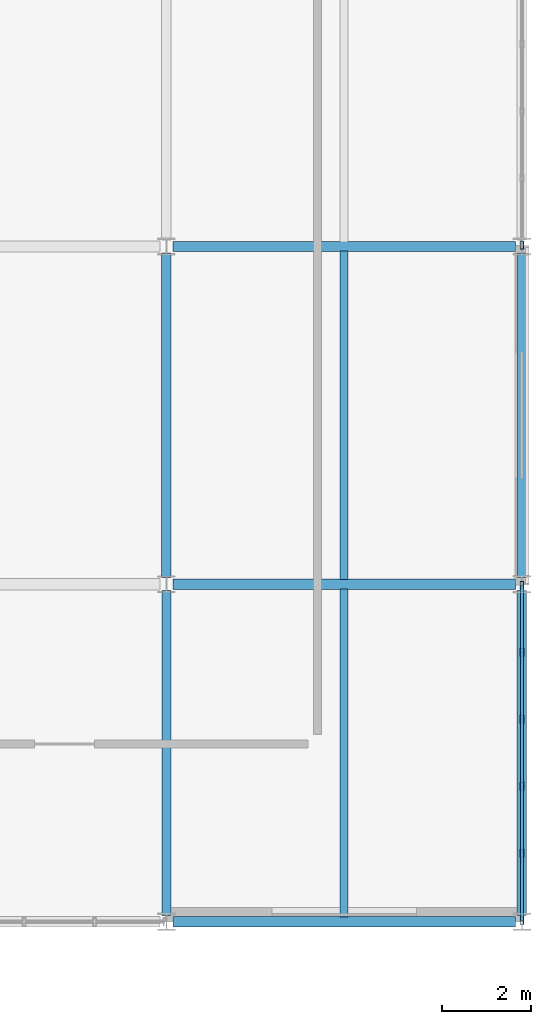
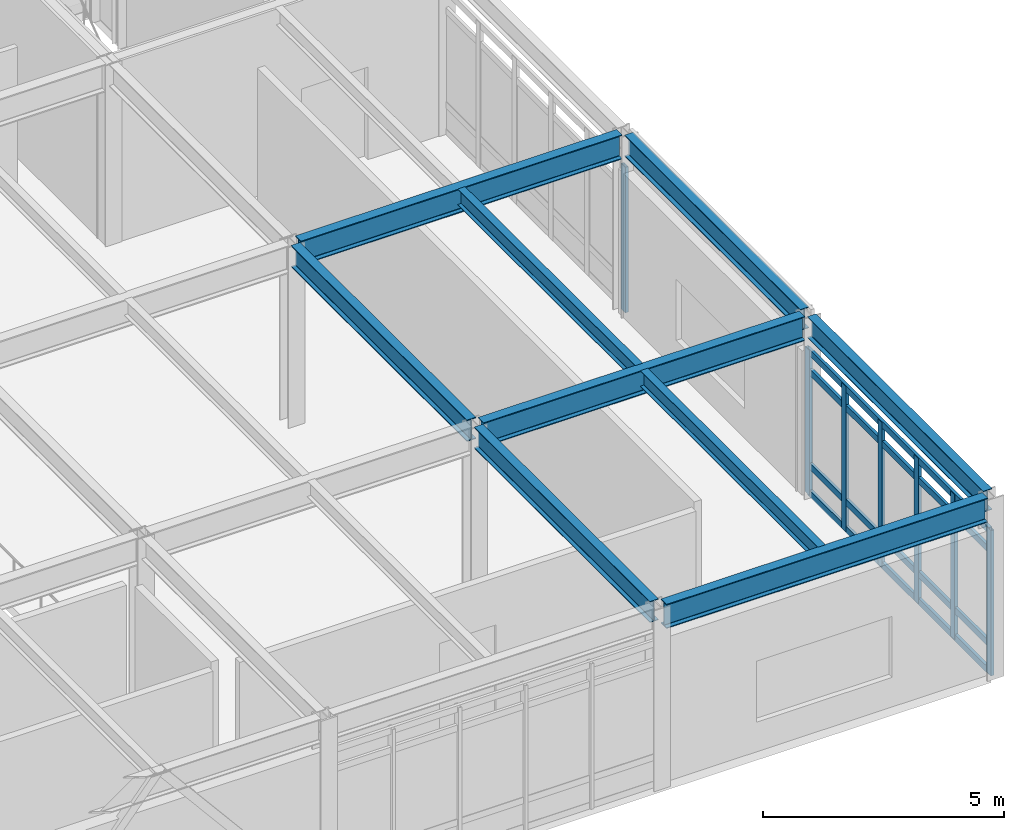
# One storey, part 67 of 104: 11 members, 9 beams, 2 elements without a shape of their own.
"""IFC4 building model written with IfcOpenShell, lengths in metres."""

from ifc_helpers import new_model, si_unit, direction, frame, origin, origin_2d, place, context, subcontext, project, spatial, hollow_rectangle, i_section, extrude, material, material_profile, profile_set, type_object, element, aggregate, save


model = new_model("IFC4")

# Units and contexts
model_context = context("Model", 3, precision=1e-05, world=origin(), true_north=direction((0.0, 1.0)))
body_context = subcontext(model_context, "Body", "Model", "MODEL_VIEW")
ifc_project = project(units=[si_unit("LENGTHUNIT", "METRE"), si_unit("AREAUNIT", "SQUARE_METRE"), si_unit("VOLUMEUNIT", "CUBIC_METRE"), si_unit("PLANEANGLEUNIT", "RADIAN"), si_unit("MASSUNIT", "GRAM", prefix="KILO")], contexts=[model_context])

# Site, building, storey
site_placement = place(None, origin())
site = spatial("IfcSite", under=ifc_project, at=site_placement, CompositionType="ELEMENT")
building_placement = place(site_placement, origin())
building = spatial("IfcBuilding", under=site, at=building_placement, Name="Zulena Civic Courthouse", CompositionType="ELEMENT")
storey_placement = place(building_placement, frame((0.0, 0.0, 10.800048828125)))
storey = spatial("IfcBuildingStorey", under=building, at=storey_placement, Name="L02", CompositionType="ELEMENT", Elevation=10.800048828125)

# Curtain wall, member
ifc_material_1 = material(Name="Double-silver low-E laminated solar-control glass", Category="glass")
curtain_wall_type = type_object("IfcCurtainWallType", Name="CW_7540x3690", PredefinedType="USERDEFINED", material=ifc_material_1)
curtain_wall_1_placement = place(storey_placement, origin())
curtain_wall_1 = element("IfcCurtainWall", 1, at=curtain_wall_1_placement, inside=storey, type_object=curtain_wall_type, Name="cw:V1:L02:2:1", ObjectType="UNITISED CURTAIN WALL", PredefinedType="USERDEFINED")
ifc_material_2 = material(Name="Bronze anodised thermally broken aluminium AA6063-T6", Category="aluminium")
ifc_material_profile_1 = material_profile(ifc_material_2, hollow_rectangle(XDim=0.074951171875, YDim=0.179931640625, WallThickness=0.0048828125, at=origin_2d()), Name="CWM180X75X5")
ifc_profile_set_1 = profile_set([ifc_material_profile_1], Name="Bronze anodised thermally broken aluminium AA6063-T6")
member_type_1 = type_object("IfcMemberType", Name="CWMullion_180x75", PredefinedType="MULLION", material=ifc_profile_set_1)
member_1_placement = place(storey_placement, frame((172.0, 15.22998046875, 0.0), z_axis=(0.0, 0.0, 1.0), x_axis=(1.0, 0.0, 0.0)))
member_1 = element("IfcMember", 2, at=member_1_placement, type_object=member_type_1, Name="cw:V1:L02:2:1:mull:5", PredefinedType="MULLION", context=body_context, shape_type="SweptSolid", body=[
    extrude(hollow_rectangle(XDim=0.074951171875, YDim=0.179931640625, WallThickness=0.0048828125, at=origin_2d()), origin(), (0.0, 0.0, 1.0), 3.68994140625),
])
aggregate(curtain_wall_1, [member_1])

# Curtain wall, members
curtain_wall_2_placement = place(storey_placement, origin())
curtain_wall_2 = element("IfcCurtainWall", 3, at=curtain_wall_2_placement, inside=storey, type_object=curtain_wall_type, Name="cw:V1:L02:2:3", ObjectType="UNITISED CURTAIN WALL", PredefinedType="USERDEFINED")
member_2_placement = place(storey_placement, frame((172.0, 7.570068359375, 0.0), z_axis=(0.0, 0.0, 1.0), x_axis=(1.0, 0.0, 0.0)))
member_2 = element("IfcMember", 4, at=member_2_placement, type_object=member_type_1, Name="cw:V1:L02:2:3:mull:0", PredefinedType="MULLION", context=body_context, shape_type="SweptSolid", body=[
    extrude(hollow_rectangle(XDim=0.074951171875, YDim=0.179931640625, WallThickness=0.0048828125, at=origin_2d()), origin(), (0.0, 0.0, 1.0), 3.68994140625),
])
member_3_placement = place(storey_placement, frame((172.0, 6.06201171875, 0.0), z_axis=(0.0, 0.0, 1.0), x_axis=(1.0, 0.0, 0.0)))
member_3 = element("IfcMember", 5, at=member_3_placement, type_object=member_type_1, Name="cw:V1:L02:2:3:mull:1", PredefinedType="MULLION", context=body_context, shape_type="SweptSolid", body=[
    extrude(hollow_rectangle(XDim=0.074951171875, YDim=0.179931640625, WallThickness=0.0048828125, at=origin_2d()), origin(), (0.0, 0.0, 1.0), 3.68994140625),
])
member_4_placement = place(storey_placement, frame((172.0, 4.553955078125, 0.0), z_axis=(0.0, 0.0, 1.0), x_axis=(1.0, 0.0, 0.0)))
member_4 = element("IfcMember", 6, at=member_4_placement, type_object=member_type_1, Name="cw:V1:L02:2:3:mull:2", PredefinedType="MULLION", context=body_context, shape_type="SweptSolid", body=[
    extrude(hollow_rectangle(XDim=0.074951171875, YDim=0.179931640625, WallThickness=0.0048828125, at=origin_2d()), origin(), (0.0, 0.0, 1.0), 3.68994140625),
])
member_5_placement = place(storey_placement, frame((172.0, 3.0458984375, 0.0), z_axis=(0.0, 0.0, 1.0), x_axis=(1.0, 0.0, 0.0)))
member_5 = element("IfcMember", 7, at=member_5_placement, type_object=member_type_1, Name="cw:V1:L02:2:3:mull:3", PredefinedType="MULLION", context=body_context, shape_type="SweptSolid", body=[
    extrude(hollow_rectangle(XDim=0.074951171875, YDim=0.179931640625, WallThickness=0.0048828125, at=origin_2d()), origin(), (0.0, 0.0, 1.0), 3.68994140625),
])
member_6_placement = place(storey_placement, frame((172.0, 1.5380859375, 0.0), z_axis=(0.0, 0.0, 1.0), x_axis=(1.0, 0.0, 0.0)))
member_6 = element("IfcMember", 8, at=member_6_placement, type_object=member_type_1, Name="cw:V1:L02:2:3:mull:4", PredefinedType="MULLION", context=body_context, shape_type="SweptSolid", body=[
    extrude(hollow_rectangle(XDim=0.074951171875, YDim=0.179931640625, WallThickness=0.0048828125, at=origin_2d()), origin(), (0.0, 0.0, 1.0), 3.68994140625),
])
member_7_placement = place(storey_placement, frame((172.0, 0.030029296875, 0.0), z_axis=(0.0, 0.0, 1.0), x_axis=(1.0, 0.0, 0.0)))
member_7 = element("IfcMember", 9, at=member_7_placement, type_object=member_type_1, Name="cw:V1:L02:2:3:mull:5", PredefinedType="MULLION", context=body_context, shape_type="SweptSolid", body=[
    extrude(hollow_rectangle(XDim=0.074951171875, YDim=0.179931640625, WallThickness=0.0048828125, at=origin_2d()), origin(), (0.0, 0.0, 1.0), 3.68994140625),
])
ifc_material_profile_2 = material_profile(ifc_material_2, hollow_rectangle(XDim=0.070068359375, YDim=0.1650390625, WallThickness=0.00390625, at=origin_2d()), Name="CWT165X70X4")
ifc_profile_set_2 = profile_set([ifc_material_profile_2], Name="Bronze anodised thermally broken aluminium AA6063-T6")
member_type_2 = type_object("IfcMemberType", Name="CWTransom_165x70", PredefinedType="USERDEFINED", material=ifc_profile_set_2)
member_8_placement = place(storey_placement, frame((172.0, 7.570068359375, 0.06005859375), z_axis=(0.0, -1.0, 0.0), x_axis=(1.0, 0.0, 0.0)))
member_8 = element("IfcMember", 10, at=member_8_placement, type_object=member_type_2, Name="cw:V1:L02:2:3:tran:0", ObjectType="TRANSOM", PredefinedType="USERDEFINED", context=body_context, shape_type="SweptSolid", body=[
    extrude(hollow_rectangle(XDim=0.070068359375, YDim=0.1650390625, WallThickness=0.00390625, at=origin_2d()), origin(), (0.0, 0.0, 1.0), 7.5400390625),
])
member_9_placement = place(storey_placement, frame((172.0, 7.570068359375, 0.75), z_axis=(0.0, -1.0, 0.0), x_axis=(1.0, 0.0, 0.0)))
member_9 = element("IfcMember", 11, at=member_9_placement, type_object=member_type_2, Name="cw:V1:L02:2:3:tran:1", ObjectType="TRANSOM", PredefinedType="USERDEFINED", context=body_context, shape_type="SweptSolid", body=[
    extrude(hollow_rectangle(XDim=0.070068359375, YDim=0.1650390625, WallThickness=0.00390625, at=origin_2d()), origin(), (0.0, 0.0, 1.0), 7.5400390625),
])
member_10_placement = place(storey_placement, frame((172.0, 7.570068359375, 3.139892578125), z_axis=(0.0, -1.0, 0.0), x_axis=(1.0, 0.0, 0.0)))
member_10 = element("IfcMember", 12, at=member_10_placement, type_object=member_type_2, Name="cw:V1:L02:2:3:tran:2", ObjectType="TRANSOM", PredefinedType="USERDEFINED", context=body_context, shape_type="SweptSolid", body=[
    extrude(hollow_rectangle(XDim=0.070068359375, YDim=0.1650390625, WallThickness=0.00390625, at=origin_2d()), origin(), (0.0, 0.0, 1.0), 7.5400390625),
])
member_11_placement = place(storey_placement, frame((172.0, 7.570068359375, 3.6298828125), z_axis=(0.0, -1.0, 0.0), x_axis=(1.0, 0.0, 0.0)))
member_11 = element("IfcMember", 13, at=member_11_placement, type_object=member_type_2, Name="cw:V1:L02:2:3:tran:3", ObjectType="TRANSOM", PredefinedType="USERDEFINED", context=body_context, shape_type="SweptSolid", body=[
    extrude(hollow_rectangle(XDim=0.070068359375, YDim=0.1650390625, WallThickness=0.00390625, at=origin_2d()), origin(), (0.0, 0.0, 1.0), 7.5400390625),
])
aggregate(curtain_wall_2, [member_2, member_3, member_4, member_5, member_6, member_7, member_8, member_9, member_10, member_11])

# Beams
ifc_material_3 = material(Name="Steel ASTM A992 Grade 50", Category="steel")
ifc_material_profile_3 = material_profile(ifc_material_3, i_section(OverallWidth=0.214111328125, OverallDepth=0.549072265625, WebThickness=0.0146484375, FlangeThickness=0.023681640625, FilletRadius=0.0126953125, at=origin_2d()), Name="W21X93")
ifc_profile_set_3 = profile_set([ifc_material_profile_3], Name="Steel ASTM A992 Grade 50")
beam_type_1 = type_object("IfcBeamType", Name="Girder_W21X93", PredefinedType="BEAM", material=ifc_profile_set_3)
beam_1_placement = place(storey_placement, frame((164.0, 7.7451171875, 4.3154296875), z_axis=(0.0, 1.0, 0.0), x_axis=(-1.0, 0.0, 0.0)))
element("IfcBeam", 14, at=beam_1_placement, inside=storey, type_object=beam_type_1, Name="beam:Y:V1:L02:164.0:7.6_15.2", PredefinedType="BEAM", context=body_context, shape_type="SweptSolid", body=[
    extrude(i_section(OverallWidth=0.214111328125, OverallDepth=0.549072265625, WebThickness=0.0146484375, FlangeThickness=0.023681640625, FilletRadius=0.0126953125, at=origin_2d()), origin(), (0.0, 0.0, 1.0), 7.309814453125),
])
ifc_material_profile_4 = material_profile(ifc_material_3, i_section(OverallWidth=0.177978515625, OverallDepth=0.406005859375, WebThickness=0.0078125, FlangeThickness=0.0126953125, FilletRadius=0.01025390625, at=origin_2d()), Name="W16X40")
ifc_profile_set_4 = profile_set([ifc_material_profile_4], Name="Steel ASTM A992 Grade 50")
beam_type_2 = type_object("IfcBeamType", Name="Joist_W16X40", PredefinedType="JOIST", material=ifc_profile_set_4)
beam_2_placement = place(storey_placement, frame((168.0, 0.10498046875, 4.386962890625), z_axis=(0.0, 1.0, 0.0), x_axis=(-1.0, 0.0, 0.0)))
element("IfcBeam", 15, at=beam_2_placement, inside=storey, type_object=beam_type_2, Name="joist:V1:L02:168.00:0.0_7.6", PredefinedType="JOIST", context=body_context, shape_type="SweptSolid", body=[
    extrude(i_section(OverallWidth=0.177978515625, OverallDepth=0.406005859375, WebThickness=0.0078125, FlangeThickness=0.0126953125, FilletRadius=0.01025390625, at=origin_2d()), origin(), (0.0, 0.0, 1.0), 7.39013671875),
])
beam_3_placement = place(storey_placement, frame((168.0, 7.705078125, 4.386962890625), z_axis=(0.0, 1.0, 0.0), x_axis=(-1.0, 0.0, 0.0)))
element("IfcBeam", 16, at=beam_3_placement, inside=storey, type_object=beam_type_2, Name="joist:V1:L02:168.00:7.6_15.2", PredefinedType="JOIST", context=body_context, shape_type="SweptSolid", body=[
    extrude(i_section(OverallWidth=0.177978515625, OverallDepth=0.406005859375, WebThickness=0.0078125, FlangeThickness=0.0126953125, FilletRadius=0.01025390625, at=origin_2d()), origin(), (0.0, 0.0, 1.0), 7.389892578125),
])
ifc_material_profile_5 = material_profile(ifc_material_3, i_section(OverallWidth=0.2099609375, OverallDepth=0.537109375, WebThickness=0.010986328125, FlangeThickness=0.017333984375, FilletRadius=0.0126953125, at=origin_2d()), Name="W21X68")
ifc_profile_set_5 = profile_set([ifc_material_profile_5], Name="Steel ASTM A992 Grade 50")
beam_type_3 = type_object("IfcBeamType", Name="Spandrel_W21X68", PredefinedType="SPANDREL", material=ifc_profile_set_5)
for number, where, z_axis, x_axis, name in (
    (17, (164.0, 0.14501953125, 4.321533203125), (0.0, 1.0, 0.0), (-1.0, 0.0, 0.0), "beam:Y:V1:L02:164.0:0.0_7.6"),
    (18, (172.0, 0.14501953125, 4.321533203125), (0.0, 1.0, 0.0), (-1.0, 0.0, 0.0), "beam:Y:V1:L02:172.0:0.0_7.6"),
):
    element("IfcBeam", number, at=place(storey_placement, frame(where, z_axis=z_axis, x_axis=x_axis)), inside=storey, type_object=beam_type_3, Name=name, PredefinedType="SPANDREL", context=body_context, shape_type="SweptSolid", body=[
        extrude(i_section(OverallWidth=0.2099609375, OverallDepth=0.537109375, WebThickness=0.010986328125, FlangeThickness=0.017333984375, FilletRadius=0.0126953125, at=origin_2d()), origin(), (0.0, 0.0, 1.0), 7.31005859375),
    ])
beam_4_placement = place(storey_placement, frame((172.0, 7.7451171875, 4.321533203125), z_axis=(0.0, 1.0, 0.0), x_axis=(-1.0, 0.0, 0.0)))
element("IfcBeam", 19, at=beam_4_placement, inside=storey, type_object=beam_type_3, Name="beam:Y:V1:L02:172.0:7.6_15.2", PredefinedType="SPANDREL", context=body_context, shape_type="SweptSolid", body=[
    extrude(i_section(OverallWidth=0.2099609375, OverallDepth=0.537109375, WebThickness=0.010986328125, FlangeThickness=0.017333984375, FilletRadius=0.0126953125, at=origin_2d()), origin(), (0.0, 0.0, 1.0), 7.309814453125),
])
ifc_material_profile_6 = material_profile(ifc_material_3, i_section(OverallWidth=0.22998046875, OverallDepth=0.616943359375, WebThickness=0.01318359375, FlangeThickness=0.022216796875, FilletRadius=0.0126953125, at=origin_2d()), Name="W24X94")
ifc_profile_set_6 = profile_set([ifc_material_profile_6], Name="Steel ASTM A992 Grade 50")
beam_type_4 = type_object("IfcBeamType", Name="Spandrel_W24X94", PredefinedType="SPANDREL", material=ifc_profile_set_6)
for number, where, z_axis, x_axis, name in (
    (20, (164.14501953125, 0.0, 4.281494140625), (1.0, 0.0, 0.0), (0.0, 1.0, 0.0), "beam:X:V1:L02:0.0:164.0_172.0"),
    (21, (164.14501953125, 7.60009765625, 4.281494140625), (1.0, 0.0, 0.0), (0.0, 1.0, 0.0), "beam:X:V1:L02:7.6:164.0_172.0"),
    (22, (164.14501953125, 15.199951171875, 4.281494140625), (1.0, 0.0, 0.0), (0.0, 1.0, 0.0), "beam:X:V1:L02:15.2:164.0_172.0"),
):
    element("IfcBeam", number, at=place(storey_placement, frame(where, z_axis=z_axis, x_axis=x_axis)), inside=storey, type_object=beam_type_4, Name=name, PredefinedType="SPANDREL", context=body_context, shape_type="SweptSolid", body=[
        extrude(i_section(OverallWidth=0.22998046875, OverallDepth=0.616943359375, WebThickness=0.01318359375, FlangeThickness=0.022216796875, FilletRadius=0.0126953125, at=origin_2d()), origin(), (0.0, 0.0, 1.0), 7.7099609375),
    ])

save(model, "model.ifc")
